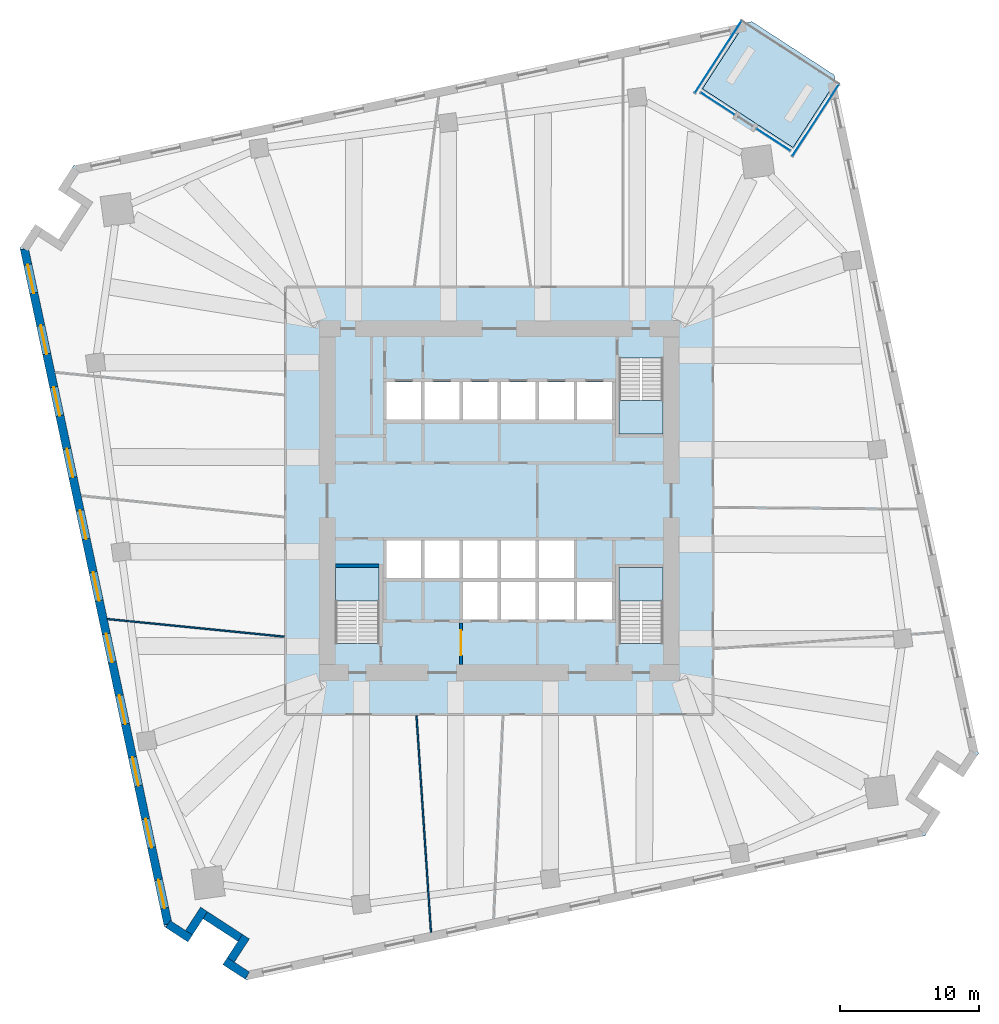
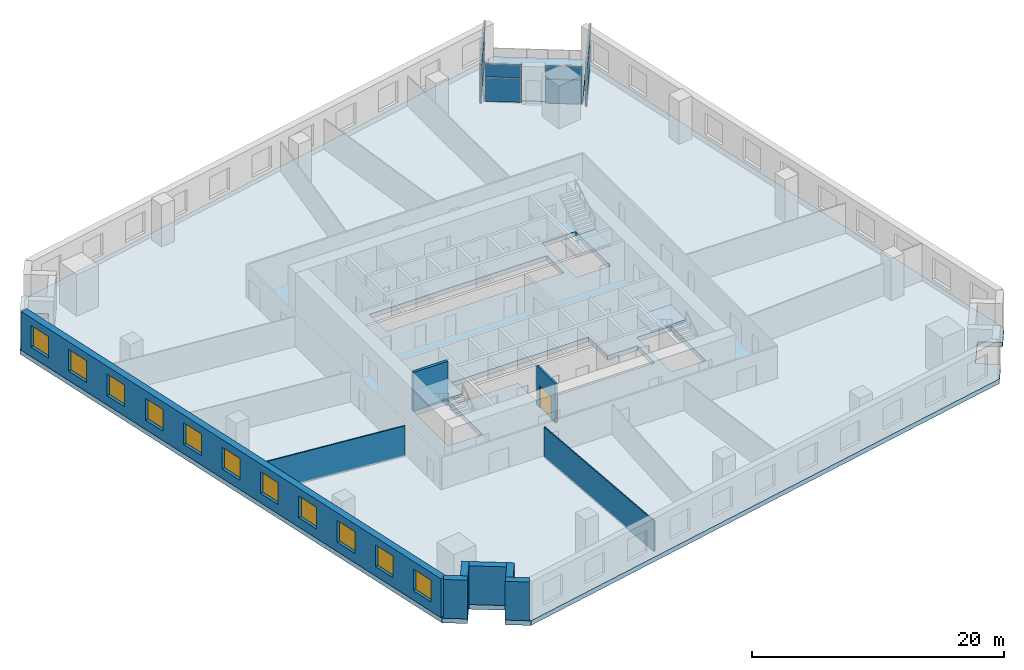
# One storey, part 3 of 10: 11 windows, 10 walls, 8 plates, 5 slabs, 1 door, 12 openings, 7 elements without a shape of their own.
"""IFC4 building model written with IfcOpenShell, lengths in metres."""

from ifc_helpers import new_model, si_unit, direction, frame, frame_2d, origin, origin_2d, place, context, subcontext, project, spatial, polyline, rectangle, outline, extrude, material, layer, layer_set, type_object, element, fill, aggregate, save


model = new_model("IFC4")

# Units and contexts
model_context = context("Model", 3, precision=1e-05, world=origin(), true_north=direction((0.0, 1.0)))
body_context = subcontext(model_context, "Body", "Model", "MODEL_VIEW")
ifc_project = project(units=[si_unit("LENGTHUNIT", "METRE"), si_unit("AREAUNIT", "SQUARE_METRE"), si_unit("VOLUMEUNIT", "CUBIC_METRE"), si_unit("PLANEANGLEUNIT", "RADIAN"), si_unit("MASSUNIT", "GRAM", prefix="KILO")], contexts=[model_context])

# Site, building, storey
site_placement = place(None, origin())
site = spatial("IfcSite", under=ifc_project, at=site_placement, CompositionType="ELEMENT")
building_placement = place(site_placement, origin())
building = spatial("IfcBuilding", under=site, at=building_placement, Name="Dilmun Exchange Tower", CompositionType="ELEMENT")
storey_placement = place(building_placement, frame((0.0, 0.0, 68.10009765625)))
storey = spatial("IfcBuildingStorey", under=building, at=storey_placement, Name="L15", CompositionType="ELEMENT", Elevation=68.10009765625)

# Stair, slab
ifc_material_1 = material(Name="Concrete C40/50", Category="concrete")
stair_type = type_object("IfcStairType", Name="Exit stair 1500 half-turn", PredefinedType="HALF_TURN_STAIR", material=ifc_material_1)
stair_1_placement = place(storey_placement, origin())
stair_1 = element("IfcStair", 1, at=stair_1_placement, inside=storey, type_object=stair_type, Name="L15 Protected exit stair ST1", PredefinedType="HALF_TURN_STAIR")
ifc_layer_1 = layer(ifc_material_1, 0.199951171875)
ifc_layer_set_1 = layer_set([ifc_layer_1], Name="Concrete C40/50")
slab_type_1 = type_object("IfcSlabType", Name="Exit stair landing 200", PredefinedType="LANDING", material=ifc_layer_set_1)
slab_1_placement = place(storey_placement, frame((0.0, 0.0, 1.89990234375)))
slab_1 = element("IfcSlab", 2, at=slab_1_placement, type_object=slab_type_1, Name="ST1 landing 1", PredefinedType="LANDING", context=body_context, shape_type="SweptSolid", body=[
    extrude(outline(polyline([(8.64990234375, 7.219970703125), (8.64990234375, 4.800048828125), (11.800048828125, 4.800048828125), (11.800048828125, 7.219970703125), (8.64990234375, 7.219970703125)])), origin(), (0.0, 0.0, 1.0), 0.199951171875),
])
aggregate(stair_1, [slab_1])

stair_2_placement = place(storey_placement, origin())
stair_2 = element("IfcStair", 3, at=stair_2_placement, inside=storey, type_object=stair_type, Name="L15 Protected exit stair ST2", PredefinedType="HALF_TURN_STAIR")
slab_2_placement = place(storey_placement, frame((0.0, 0.0, 1.89990234375)))
slab_2 = element("IfcSlab", 4, at=slab_2_placement, type_object=slab_type_1, Name="ST2 landing 1", PredefinedType="LANDING", context=body_context, shape_type="SweptSolid", body=[
    extrude(outline(polyline([(-8.64990234375, -7.219970703125), (-8.64990234375, -4.800048828125), (-11.800048828125, -4.800048828125), (-11.800048828125, -7.219970703125), (-8.64990234375, -7.219970703125)])), origin(), (0.0, 0.0, 1.0), 0.199951171875),
])
aggregate(stair_2, [slab_2])

stair_3_placement = place(storey_placement, origin())
stair_3 = element("IfcStair", 5, at=stair_3_placement, inside=storey, type_object=stair_type, Name="L15 Protected exit stair ST3", PredefinedType="HALF_TURN_STAIR")
slab_3_placement = place(storey_placement, frame((0.0, 0.0, 1.89990234375)))
slab_3 = element("IfcSlab", 6, at=slab_3_placement, type_object=slab_type_1, Name="ST3 landing 1", PredefinedType="LANDING", context=body_context, shape_type="SweptSolid", body=[
    extrude(outline(polyline([(11.800048828125, -7.219970703125), (11.800048828125, -4.800048828125), (8.64990234375, -4.800048828125), (8.64990234375, -7.219970703125), (11.800048828125, -7.219970703125)])), origin(), (0.0, 0.0, 1.0), 0.199951171875),
])
aggregate(stair_3, [slab_3])

# Curtain wall, plates
ifc_material_2 = material(Name="Anodised aluminium and clear glass", Category="aluminium")
curtain_wall_type = type_object("IfcCurtainWallType", Name="Garden corner glazing", PredefinedType="NOTDEFINED", material=ifc_material_2)
curtain_wall_1_placement = place(storey_placement, origin())
curtain_wall_1 = element("IfcCurtainWall", 7, at=curtain_wall_1_placement, inside=storey, type_object=curtain_wall_type, Name="Garden corner glazing run GC1.1", PredefinedType="NOTDEFINED")
ifc_material_3 = material(Name="Clear glass", Category="glass")
ifc_layer_2 = layer(ifc_material_3, 0.028076171875)
ifc_layer_set_2 = layer_set([ifc_layer_2], Name="Clear glass")
plate_type = type_object("IfcPlateType", Name="Garden corner glazing glass panel 28", PredefinedType="CURTAIN_PANEL", material=ifc_layer_set_2)
plate_1_placement = place(storey_placement, frame((22.80126953125, 27.419189453125, 0.059814453125), z_axis=(0.0, 0.0, 1.0), x_axis=(-0.544644489647, -0.838667025641, 0.0)))
plate_1 = element("IfcPlate", 8, at=plate_1_placement, type_object=plate_type, Name="GC1.1 panel 1.1", PredefinedType="CURTAIN_PANEL", context=body_context, shape_type="SweptSolid", body=[
    extrude(rectangle(XDim=6.12646484375, YDim=0.028076171875, at=origin_2d()), origin(), (0.0, 0.0, 1.0), 2.31005859375),
])
plate_2_placement = place(storey_placement, frame((22.80126953125, 27.419189453125, 2.4296875), z_axis=(0.0, 0.0, 1.0), x_axis=(-0.544644489647, -0.838667025641, 0.0)))
plate_2 = element("IfcPlate", 9, at=plate_2_placement, type_object=plate_type, Name="GC1.1 panel 1.2", PredefinedType="CURTAIN_PANEL", context=body_context, shape_type="SweptSolid", body=[
    extrude(rectangle(XDim=6.12646484375, YDim=0.028076171875, at=origin_2d()), origin(), (0.0, 0.0, 1.0), 1.260009765625),
])
aggregate(curtain_wall_1, [plate_1, plate_2])

curtain_wall_2_placement = place(storey_placement, origin())
curtain_wall_2 = element("IfcCurtainWall", 10, at=curtain_wall_2_placement, inside=storey, type_object=curtain_wall_type, Name="Garden corner glazing run GC2.1", PredefinedType="NOTDEFINED")
plate_3_placement = place(storey_placement, frame((19.758544921875, 26.02880859375, 0.059814453125), z_axis=(0.0, 0.0, 1.0), x_axis=(-0.838675909601, 0.544630809498, 0.0)))
plate_3 = element("IfcPlate", 11, at=plate_3_placement, type_object=plate_type, Name="GC2.1 panel 1.1", PredefinedType="CURTAIN_PANEL", context=body_context, shape_type="SweptSolid", body=[
    extrude(rectangle(XDim=2.868896484375, YDim=0.028076171875, at=origin_2d()), origin(), (0.0, 0.0, 1.0), 2.31005859375),
])
plate_4_placement = place(storey_placement, frame((19.758544921875, 26.02880859375, 2.4296875), z_axis=(0.0, 0.0, 1.0), x_axis=(-0.838675909601, 0.544630809498, 0.0)))
plate_4 = element("IfcPlate", 12, at=plate_4_placement, type_object=plate_type, Name="GC2.1 panel 1.2", PredefinedType="CURTAIN_PANEL", context=body_context, shape_type="SweptSolid", body=[
    extrude(rectangle(XDim=2.868896484375, YDim=0.028076171875, at=origin_2d()), origin(), (0.0, 0.0, 1.0), 1.260009765625),
])
aggregate(curtain_wall_2, [plate_3, plate_4])

curtain_wall_3_placement = place(storey_placement, origin())
curtain_wall_3 = element("IfcCurtainWall", 13, at=curtain_wall_3_placement, inside=storey, type_object=curtain_wall_type, Name="Garden corner glazing run GC2.3", PredefinedType="NOTDEFINED")
plate_5_placement = place(storey_placement, frame((15.741943359375, 28.63720703125, 0.059814453125), z_axis=(0.0, 0.0, 1.0), x_axis=(-0.838670551957, 0.544639059635, 0.0)))
plate_5 = element("IfcPlate", 14, at=plate_5_placement, type_object=plate_type, Name="GC2.3 panel 1.1", PredefinedType="CURTAIN_PANEL", context=body_context, shape_type="SweptSolid", body=[
    extrude(rectangle(XDim=2.869140625, YDim=0.028076171875, at=origin_2d()), origin(), (0.0, 0.0, 1.0), 2.31005859375),
])
plate_6_placement = place(storey_placement, frame((15.741943359375, 28.63720703125, 2.4296875), z_axis=(0.0, 0.0, 1.0), x_axis=(-0.838670551957, 0.544639059635, 0.0)))
plate_6 = element("IfcPlate", 15, at=plate_6_placement, type_object=plate_type, Name="GC2.3 panel 1.2", PredefinedType="CURTAIN_PANEL", context=body_context, shape_type="SweptSolid", body=[
    extrude(rectangle(XDim=2.869140625, YDim=0.028076171875, at=origin_2d()), origin(), (0.0, 0.0, 1.0), 1.260009765625),
])
aggregate(curtain_wall_3, [plate_5, plate_6])

curtain_wall_4_placement = place(storey_placement, origin())
curtain_wall_4 = element("IfcCurtainWall", 16, at=curtain_wall_4_placement, inside=storey, type_object=curtain_wall_type, Name="Garden corner glazing run GC3.1", PredefinedType="NOTDEFINED")
plate_7_placement = place(storey_placement, frame((15.774658203125, 31.982421875, 0.059814453125), z_axis=(0.0, 0.0, 1.0), x_axis=(0.544637177185, 0.838671774431, 0.0)))
plate_7 = element("IfcPlate", 17, at=plate_7_placement, type_object=plate_type, Name="GC3.1 panel 1.1", PredefinedType="CURTAIN_PANEL", context=body_context, shape_type="SweptSolid", body=[
    extrude(rectangle(XDim=6.12646484375, YDim=0.028076171875, at=origin_2d()), origin(), (0.0, 0.0, 1.0), 2.31005859375),
])
plate_8_placement = place(storey_placement, frame((15.774658203125, 31.982421875, 2.4296875), z_axis=(0.0, 0.0, 1.0), x_axis=(0.544637177185, 0.838671774431, 0.0)))
plate_8 = element("IfcPlate", 18, at=plate_8_placement, type_object=plate_type, Name="GC3.1 panel 1.2", PredefinedType="CURTAIN_PANEL", context=body_context, shape_type="SweptSolid", body=[
    extrude(rectangle(XDim=6.12646484375, YDim=0.028076171875, at=origin_2d()), origin(), (0.0, 0.0, 1.0), 1.260009765625),
])
aggregate(curtain_wall_4, [plate_7, plate_8])

# Slabs
ifc_layer_3 = layer(ifc_material_1, 0.449951171875)
ifc_layer_set_3 = layer_set([ifc_layer_3], Name="Concrete C40/50")
slab_type_2 = type_object("IfcSlabType", Name="RC floor slab 450", PredefinedType="FLOOR", material=ifc_layer_set_3)
slab_4_placement = place(storey_placement, frame((0.0, 0.0, -0.4501953125)))
element("IfcSlab", 19, at=slab_4_placement, inside=storey, type_object=slab_type_2, Name="Floor slab", PredefinedType="FLOOR", context=body_context, shape_type="SweptSolid", body=[
    extrude(outline(polyline([(33.43359375, -19.923583984375), (31.756103515625, -18.834228515625), (30.122314453125, -21.35009765625), (31.7998046875, -22.439453125), (30.69091796875, -24.146484375), (-18.21630859375, -34.542236328125), (-19.923583984375, -33.43359375), (-18.834228515625, -31.756103515625), (-21.35009765625, -30.122314453125), (-22.439453125, -31.7998046875), (-24.146484375, -30.69091796875), (-34.542236328125, 18.21630859375), (-33.43359375, 19.923583984375), (-31.756103515625, 18.834228515625), (-30.122314453125, 21.35009765625), (-31.7998046875, 22.439453125), (-30.69091796875, 24.146484375), (17.727294921875, 34.438232421875), (14.652099609375, 29.702880859375), (21.17529296875, 25.466552734375), (24.25048828125, 30.201904296875), (34.542236328125, -18.21630859375), (33.43359375, -19.923583984375)]), holes=[polyline([(-8.64990234375, -4.800048828125), (-11.800048828125, -4.800048828125), (-11.800048828125, -10.294921875), (-8.64990234375, -10.294921875), (-8.64990234375, -4.800048828125)]), polyline([(11.800048828125, -4.800048828125), (8.64990234375, -4.800048828125), (8.64990234375, -10.294921875), (11.800048828125, -10.294921875), (11.800048828125, -4.800048828125)]), polyline([(-8.125, -2.85009765625), (-8.125, -5.550048828125), (-2.625, -5.550048828125), (-2.625, -8.550048828125), (8.125, -8.550048828125), (8.125, -5.85009765625), (5.375, -5.85009765625), (5.375, -2.85009765625), (-8.125, -2.85009765625)]), polyline([(-8.125, 5.85009765625), (8.125, 5.85009765625), (8.125, 8.550048828125), (-8.125, 8.550048828125), (-8.125, 5.85009765625)]), polyline([(8.64990234375, 10.294921875), (8.64990234375, 4.800048828125), (11.800048828125, 4.800048828125), (11.800048828125, 10.294921875), (8.64990234375, 10.294921875)])]), origin(), (0.0, 0.0, 1.0), 0.4501953125),
])
ifc_layer_4 = layer(ifc_material_1, 0.300048828125)
ifc_layer_set_4 = layer_set([ifc_layer_4], Name="Concrete C40/50")
slab_type_3 = type_object("IfcSlabType", Name="RC garden terrace slab 300", PredefinedType="FLOOR", material=ifc_layer_set_4)
slab_5_placement = place(storey_placement, frame((0.0, 0.0, -0.300048828125)))
element("IfcSlab", 20, at=slab_5_placement, inside=storey, type_object=slab_type_3, Name="Garden terrace slab", PredefinedType="FLOOR", context=body_context, shape_type="SweptSolid", body=[
    extrude(outline(polyline([(14.652099609375, 29.702880859375), (17.727294921875, 34.438232421875), (18.21630859375, 34.542236328125), (24.146484375, 30.69091796875), (24.25048828125, 30.201904296875), (21.17529296875, 25.466552734375), (14.652099609375, 29.702880859375)])), origin(), (0.0, 0.0, 1.0), 0.300048828125),
])

# Wall, opening, door
ifc_layer_5 = layer(ifc_material_1, 0.199951171875)
ifc_layer_set_5 = layer_set([ifc_layer_5], Name="Concrete C40/50")
wall_type_1 = type_object("IfcWallType", Name="Core partition wall 200", PredefinedType="PARTITIONING", material=ifc_layer_set_5)
wall_1_placement = place(storey_placement, frame((-2.75, -11.794921875, 0.0), z_axis=(0.0, 0.0, 1.0), x_axis=(0.0, 1.0, 0.0)))
wall_1 = element("IfcWall", 21, at=wall_1_placement, inside=storey, type_object=wall_type_1, Name="L15 core partition wall 01", PredefinedType="PARTITIONING", context=body_context, shape_type="SweptSolid", body=[
    extrude(rectangle(XDim=2.989990234375, YDim=0.199951171875, at=frame_2d((1.4951171875, 0.0))), origin(), (0.0, 0.0, 1.0), 3.75),
])
opening_1_placement = place(wall_1_placement, frame((0.657470703125, 0.0, 0.0)))
opening_1 = element("IfcOpeningElement", 22, at=opening_1_placement, cuts=wall_1, Name="Opening CD5", PredefinedType="OPENING", context=body_context, shape_type="SweptSolid", body=[
    extrude(rectangle(XDim=1.800048828125, YDim=2.10009765625, at=frame_2d((0.89990234375, 1.050048828125))), frame((0.0, 0.10986328125, 0.0), z_axis=(0.0, -1.0, 0.0), x_axis=(1.0, 0.0, 0.0)), (0.0, 0.0, 1.0), 0.219970703125),
])
ifc_material_4 = material(Name="Fire-rated steel door set", Category="steel")
door_type = type_object("IfcDoorType", Name="Stair exit door 1800x2100", OperationType="SINGLE_SWING_LEFT", PredefinedType="DOOR", material=ifc_material_4)
door_placement = place(opening_1_placement, origin())
door = element("IfcDoor", 23, at=door_placement, inside=storey, type_object=door_type, Name="L15 door Service lobby east", OperationType="SINGLE_SWING_LEFT", OverallHeight=2.10009765625, OverallWidth=1.800048828125, PredefinedType="DOOR", context=body_context, shape_type="SweptSolid", body=[
    extrude(rectangle(XDim=1.800048828125, YDim=2.10009765625, at=frame_2d((0.89990234375, 1.050048828125))), frame((0.0, 0.02490234375, 0.0), z_axis=(0.0, -1.0, 0.0), x_axis=(1.0, 0.0, 0.0)), (0.0, 0.0, 1.0), 0.050048828125),
])
fill(opening_1, door)

# Walls
ifc_material_5 = material(Name="Partition 100")
ifc_layer_6 = layer(ifc_material_5, 0.10009765625)
ifc_layer_set_6 = layer_set([ifc_layer_6], Name="Partition 100")
wall_type_2 = type_object("IfcWallType", Name="Partition 100", PredefinedType="PARTITIONING", material=ifc_layer_set_6)
wall_2_placement = place(storey_placement, frame((-28.2431640625, -8.522705078125, 0.0), z_axis=(0.0, 0.0, 1.0), x_axis=(0.995068800652, -0.099187105861, 0.0)))
element("IfcWall", 24, at=wall_2_placement, inside=storey, type_object=wall_type_2, Name="Partition", PredefinedType="PARTITIONING", context=body_context, shape_type="SweptSolid", body=[
    extrude(rectangle(XDim=12.826416015625, YDim=0.10009765625, at=frame_2d((6.4130859375, 0.0))), origin(), (0.0, 0.0, 1.0), 2.949951171875),
])
wall_3_placement = place(storey_placement, frame((-5.9638671875, -15.478271484375, 0.0), z_axis=(0.0, 0.0, 1.0), x_axis=(0.066754978286, -0.997769398646, 0.0)))
element("IfcWall", 25, at=wall_3_placement, inside=storey, type_object=wall_type_2, Name="Partition", PredefinedType="PARTITIONING", context=body_context, shape_type="SweptSolid", body=[
    extrude(rectangle(XDim=15.65673828125, YDim=0.10009765625, at=frame_2d((7.828369140625, 0.0))), origin(), (0.0, 0.0, 1.0), 2.949951171875),
])

# Wall, openings, windows
ifc_material_6 = material(Name="Precast concrete C50/60", Category="concrete")
ifc_layer_7 = layer(ifc_material_6, 0.60009765625)
ifc_layer_set_7 = layer_set([ifc_layer_7], Name="Precast concrete C50/60")
wall_type_3 = type_object("IfcWallType", Name="Precast stone-clad wall 600", PredefinedType="STANDARD", material=ifc_layer_set_7)
wall_4_placement = place(storey_placement, frame((-34.222900390625, 18.1572265625, 0.0), z_axis=(0.0, 0.0, 1.0), x_axis=(0.207913160934, -0.97814728825, 0.0)))
wall_4 = element("IfcWall", 26, at=wall_4_placement, inside=storey, type_object=wall_type_3, Name="Facade wall L15-09", PredefinedType="STANDARD", context=body_context, shape_type="SweptSolid", body=[
    extrude(rectangle(XDim=49.75146484375, YDim=0.60009765625, at=frame_2d((24.875732421875, 0.0))), origin(), (0.0, 0.0, 1.0), 3.75),
])
opening_2_placement = place(wall_4_placement, frame((1.16064453125, 0.0, 0.89990234375)))
opening_2 = element("IfcOpeningElement", 27, at=opening_2_placement, cuts=wall_4, Name="Opening W210-210", PredefinedType="OPENING", context=body_context, shape_type="SweptSolid", body=[
    extrude(rectangle(XDim=2.10009765625, YDim=2.10009765625, at=frame_2d((1.050048828125, 1.050048828125))), frame((0.0, 0.31005859375, 0.0), z_axis=(0.0, -1.0, 0.0), x_axis=(1.0, 0.0, 0.0)), (0.0, 0.0, 1.0), 0.6201171875),
])
opening_3_placement = place(wall_4_placement, frame((5.643798828125, 0.0, 0.89990234375)))
opening_3 = element("IfcOpeningElement", 28, at=opening_3_placement, cuts=wall_4, Name="Opening W210-210", PredefinedType="OPENING", context=body_context, shape_type="SweptSolid", body=[
    extrude(rectangle(XDim=2.10009765625, YDim=2.10009765625, at=frame_2d((1.050048828125, 1.050048828125))), frame((0.0, 0.31005859375, 0.0), z_axis=(0.0, -1.0, 0.0), x_axis=(1.0, 0.0, 0.0)), (0.0, 0.0, 1.0), 0.6201171875),
])
opening_4_placement = place(wall_4_placement, frame((10.189453125, 0.0, 0.89990234375)))
opening_4 = element("IfcOpeningElement", 29, at=opening_4_placement, cuts=wall_4, Name="Opening W210-210", PredefinedType="OPENING", context=body_context, shape_type="SweptSolid", body=[
    extrude(rectangle(XDim=2.10009765625, YDim=2.10009765625, at=frame_2d((1.050048828125, 1.050048828125))), frame((0.0, 0.31005859375, 0.0), z_axis=(0.0, -1.0, 0.0), x_axis=(1.0, 0.0, 0.0)), (0.0, 0.0, 1.0), 0.6201171875),
])
opening_5_placement = place(wall_4_placement, frame((14.73486328125, 0.0, 0.89990234375)))
opening_5 = element("IfcOpeningElement", 30, at=opening_5_placement, cuts=wall_4, Name="Opening W210-210", PredefinedType="OPENING", context=body_context, shape_type="SweptSolid", body=[
    extrude(rectangle(XDim=2.10009765625, YDim=2.10009765625, at=frame_2d((1.050048828125, 1.050048828125))), frame((0.0, 0.31005859375, 0.0), z_axis=(0.0, -1.0, 0.0), x_axis=(1.0, 0.0, 0.0)), (0.0, 0.0, 1.0), 0.6201171875),
])
opening_6_placement = place(wall_4_placement, frame((19.2802734375, 0.0, 0.89990234375)))
opening_6 = element("IfcOpeningElement", 31, at=opening_6_placement, cuts=wall_4, Name="Opening W210-210", PredefinedType="OPENING", context=body_context, shape_type="SweptSolid", body=[
    extrude(rectangle(XDim=2.10009765625, YDim=2.10009765625, at=frame_2d((1.050048828125, 1.050048828125))), frame((0.0, 0.31005859375, 0.0), z_axis=(0.0, -1.0, 0.0), x_axis=(1.0, 0.0, 0.0)), (0.0, 0.0, 1.0), 0.6201171875),
])
opening_7_placement = place(wall_4_placement, frame((23.82568359375, 0.0, 0.89990234375)))
opening_7 = element("IfcOpeningElement", 32, at=opening_7_placement, cuts=wall_4, Name="Opening W210-210", PredefinedType="OPENING", context=body_context, shape_type="SweptSolid", body=[
    extrude(rectangle(XDim=2.10009765625, YDim=2.10009765625, at=frame_2d((1.050048828125, 1.050048828125))), frame((0.0, 0.31005859375, 0.0), z_axis=(0.0, -1.0, 0.0), x_axis=(1.0, 0.0, 0.0)), (0.0, 0.0, 1.0), 0.6201171875),
])
opening_8_placement = place(wall_4_placement, frame((28.37109375, 0.0, 0.89990234375)))
opening_8 = element("IfcOpeningElement", 33, at=opening_8_placement, cuts=wall_4, Name="Opening W210-210", PredefinedType="OPENING", context=body_context, shape_type="SweptSolid", body=[
    extrude(rectangle(XDim=2.10009765625, YDim=2.10009765625, at=frame_2d((1.050048828125, 1.050048828125))), frame((0.0, 0.31005859375, 0.0), z_axis=(0.0, -1.0, 0.0), x_axis=(1.0, 0.0, 0.0)), (0.0, 0.0, 1.0), 0.6201171875),
])
opening_9_placement = place(wall_4_placement, frame((32.91650390625, 0.0, 0.89990234375)))
opening_9 = element("IfcOpeningElement", 34, at=opening_9_placement, cuts=wall_4, Name="Opening W210-210", PredefinedType="OPENING", context=body_context, shape_type="SweptSolid", body=[
    extrude(rectangle(XDim=2.10009765625, YDim=2.10009765625, at=frame_2d((1.050048828125, 1.050048828125))), frame((0.0, 0.31005859375, 0.0), z_axis=(0.0, -1.0, 0.0), x_axis=(1.0, 0.0, 0.0)), (0.0, 0.0, 1.0), 0.6201171875),
])
opening_10_placement = place(wall_4_placement, frame((37.462158203125, 0.0, 0.89990234375)))
opening_10 = element("IfcOpeningElement", 35, at=opening_10_placement, cuts=wall_4, Name="Opening W210-210", PredefinedType="OPENING", context=body_context, shape_type="SweptSolid", body=[
    extrude(rectangle(XDim=2.10009765625, YDim=2.10009765625, at=frame_2d((1.050048828125, 1.050048828125))), frame((0.0, 0.31005859375, 0.0), z_axis=(0.0, -1.0, 0.0), x_axis=(1.0, 0.0, 0.0)), (0.0, 0.0, 1.0), 0.6201171875),
])
opening_11_placement = place(wall_4_placement, frame((42.007568359375, 0.0, 0.89990234375)))
opening_11 = element("IfcOpeningElement", 36, at=opening_11_placement, cuts=wall_4, Name="Opening W210-210", PredefinedType="OPENING", context=body_context, shape_type="SweptSolid", body=[
    extrude(rectangle(XDim=2.10009765625, YDim=2.10009765625, at=frame_2d((1.050048828125, 1.050048828125))), frame((0.0, 0.31005859375, 0.0), z_axis=(0.0, -1.0, 0.0), x_axis=(1.0, 0.0, 0.0)), (0.0, 0.0, 1.0), 0.6201171875),
])
opening_12_placement = place(wall_4_placement, frame((46.490966796875, 0.0, 0.89990234375)))
opening_12 = element("IfcOpeningElement", 37, at=opening_12_placement, cuts=wall_4, Name="Opening W210-210", PredefinedType="OPENING", context=body_context, shape_type="SweptSolid", body=[
    extrude(rectangle(XDim=2.10009765625, YDim=2.10009765625, at=frame_2d((1.050048828125, 1.050048828125))), frame((0.0, 0.31005859375, 0.0), z_axis=(0.0, -1.0, 0.0), x_axis=(1.0, 0.0, 0.0)), (0.0, 0.0, 1.0), 0.6201171875),
])
ifc_material_7 = material(Name="Clear low-emissivity glass in aluminium frame", Category="aluminium")
window_type = type_object("IfcWindowType", Name="Punched window 2100 x 2100", PartitioningType="DOUBLE_PANEL_VERTICAL", PredefinedType="WINDOW", material=ifc_material_7)
window_1_placement = place(opening_2_placement, origin())
window_1 = element("IfcWindow", 38, at=window_1_placement, inside=storey, type_object=window_type, Name="Window 10.1", OverallHeight=2.10009765625, OverallWidth=2.10009765625, PartitioningType="SINGLE_PANEL", PredefinedType="WINDOW", context=body_context, shape_type="SweptSolid", body=[
    extrude(rectangle(XDim=2.10009765625, YDim=2.10009765625, at=frame_2d((1.050048828125, 1.050048828125))), frame((0.0, 0.030029296875, 0.0), z_axis=(0.0, -1.0, 0.0), x_axis=(1.0, 0.0, 0.0)), (0.0, 0.0, 1.0), 0.06005859375),
])
fill(opening_2, window_1)
window_2_placement = place(opening_3_placement, origin())
window_2 = element("IfcWindow", 39, at=window_2_placement, inside=storey, type_object=window_type, Name="Window 10.2", OverallHeight=2.10009765625, OverallWidth=2.10009765625, PartitioningType="SINGLE_PANEL", PredefinedType="WINDOW", context=body_context, shape_type="SweptSolid", body=[
    extrude(rectangle(XDim=2.10009765625, YDim=2.10009765625, at=frame_2d((1.050048828125, 1.050048828125))), frame((0.0, 0.030029296875, 0.0), z_axis=(0.0, -1.0, 0.0), x_axis=(1.0, 0.0, 0.0)), (0.0, 0.0, 1.0), 0.06005859375),
])
fill(opening_3, window_2)
window_3_placement = place(opening_4_placement, origin())
window_3 = element("IfcWindow", 40, at=window_3_placement, inside=storey, type_object=window_type, Name="Window 10.3", OverallHeight=2.10009765625, OverallWidth=2.10009765625, PartitioningType="SINGLE_PANEL", PredefinedType="WINDOW", context=body_context, shape_type="SweptSolid", body=[
    extrude(rectangle(XDim=2.10009765625, YDim=2.10009765625, at=frame_2d((1.050048828125, 1.050048828125))), frame((0.0, 0.030029296875, 0.0), z_axis=(0.0, -1.0, 0.0), x_axis=(1.0, 0.0, 0.0)), (0.0, 0.0, 1.0), 0.06005859375),
])
fill(opening_4, window_3)
window_4_placement = place(opening_5_placement, origin())
window_4 = element("IfcWindow", 41, at=window_4_placement, inside=storey, type_object=window_type, Name="Window 10.4", OverallHeight=2.10009765625, OverallWidth=2.10009765625, PartitioningType="SINGLE_PANEL", PredefinedType="WINDOW", context=body_context, shape_type="SweptSolid", body=[
    extrude(rectangle(XDim=2.10009765625, YDim=2.10009765625, at=frame_2d((1.050048828125, 1.050048828125))), frame((0.0, 0.030029296875, 0.0), z_axis=(0.0, -1.0, 0.0), x_axis=(1.0, 0.0, 0.0)), (0.0, 0.0, 1.0), 0.06005859375),
])
fill(opening_5, window_4)
window_5_placement = place(opening_6_placement, origin())
window_5 = element("IfcWindow", 42, at=window_5_placement, inside=storey, type_object=window_type, Name="Window 10.5", OverallHeight=2.10009765625, OverallWidth=2.10009765625, PartitioningType="SINGLE_PANEL", PredefinedType="WINDOW", context=body_context, shape_type="SweptSolid", body=[
    extrude(rectangle(XDim=2.10009765625, YDim=2.10009765625, at=frame_2d((1.050048828125, 1.050048828125))), frame((0.0, 0.030029296875, 0.0), z_axis=(0.0, -1.0, 0.0), x_axis=(1.0, 0.0, 0.0)), (0.0, 0.0, 1.0), 0.06005859375),
])
fill(opening_6, window_5)
window_6_placement = place(opening_7_placement, origin())
window_6 = element("IfcWindow", 43, at=window_6_placement, inside=storey, type_object=window_type, Name="Window 10.6", OverallHeight=2.10009765625, OverallWidth=2.10009765625, PartitioningType="SINGLE_PANEL", PredefinedType="WINDOW", context=body_context, shape_type="SweptSolid", body=[
    extrude(rectangle(XDim=2.10009765625, YDim=2.10009765625, at=frame_2d((1.050048828125, 1.050048828125))), frame((0.0, 0.030029296875, 0.0), z_axis=(0.0, -1.0, 0.0), x_axis=(1.0, 0.0, 0.0)), (0.0, 0.0, 1.0), 0.06005859375),
])
fill(opening_7, window_6)
window_7_placement = place(opening_8_placement, origin())
window_7 = element("IfcWindow", 44, at=window_7_placement, inside=storey, type_object=window_type, Name="Window 10.7", OverallHeight=2.10009765625, OverallWidth=2.10009765625, PartitioningType="SINGLE_PANEL", PredefinedType="WINDOW", context=body_context, shape_type="SweptSolid", body=[
    extrude(rectangle(XDim=2.10009765625, YDim=2.10009765625, at=frame_2d((1.050048828125, 1.050048828125))), frame((0.0, 0.030029296875, 0.0), z_axis=(0.0, -1.0, 0.0), x_axis=(1.0, 0.0, 0.0)), (0.0, 0.0, 1.0), 0.06005859375),
])
fill(opening_8, window_7)
window_8_placement = place(opening_9_placement, origin())
window_8 = element("IfcWindow", 45, at=window_8_placement, inside=storey, type_object=window_type, Name="Window 10.8", OverallHeight=2.10009765625, OverallWidth=2.10009765625, PartitioningType="SINGLE_PANEL", PredefinedType="WINDOW", context=body_context, shape_type="SweptSolid", body=[
    extrude(rectangle(XDim=2.10009765625, YDim=2.10009765625, at=frame_2d((1.050048828125, 1.050048828125))), frame((0.0, 0.030029296875, 0.0), z_axis=(0.0, -1.0, 0.0), x_axis=(1.0, 0.0, 0.0)), (0.0, 0.0, 1.0), 0.06005859375),
])
fill(opening_9, window_8)
window_9_placement = place(opening_10_placement, origin())
window_9 = element("IfcWindow", 46, at=window_9_placement, inside=storey, type_object=window_type, Name="Window 10.9", OverallHeight=2.10009765625, OverallWidth=2.10009765625, PartitioningType="SINGLE_PANEL", PredefinedType="WINDOW", context=body_context, shape_type="SweptSolid", body=[
    extrude(rectangle(XDim=2.10009765625, YDim=2.10009765625, at=frame_2d((1.050048828125, 1.050048828125))), frame((0.0, 0.030029296875, 0.0), z_axis=(0.0, -1.0, 0.0), x_axis=(1.0, 0.0, 0.0)), (0.0, 0.0, 1.0), 0.06005859375),
])
fill(opening_10, window_9)
window_10_placement = place(opening_11_placement, origin())
window_10 = element("IfcWindow", 47, at=window_10_placement, inside=storey, type_object=window_type, Name="Window 10.10", OverallHeight=2.10009765625, OverallWidth=2.10009765625, PartitioningType="SINGLE_PANEL", PredefinedType="WINDOW", context=body_context, shape_type="SweptSolid", body=[
    extrude(rectangle(XDim=2.10009765625, YDim=2.10009765625, at=frame_2d((1.050048828125, 1.050048828125))), frame((0.0, 0.030029296875, 0.0), z_axis=(0.0, -1.0, 0.0), x_axis=(1.0, 0.0, 0.0)), (0.0, 0.0, 1.0), 0.06005859375),
])
fill(opening_11, window_10)
window_11_placement = place(opening_12_placement, origin())
window_11 = element("IfcWindow", 48, at=window_11_placement, inside=storey, type_object=window_type, Name="Window 10.11", OverallHeight=2.10009765625, OverallWidth=2.10009765625, PartitioningType="SINGLE_PANEL", PredefinedType="WINDOW", context=body_context, shape_type="SweptSolid", body=[
    extrude(rectangle(XDim=2.10009765625, YDim=2.10009765625, at=frame_2d((1.050048828125, 1.050048828125))), frame((0.0, 0.030029296875, 0.0), z_axis=(0.0, -1.0, 0.0), x_axis=(1.0, 0.0, 0.0)), (0.0, 0.0, 1.0), 0.06005859375),
])
fill(opening_12, window_11)

# Walls
wall_5_placement = place(storey_placement, frame((-23.87890625, -30.507080078125, 0.0), z_axis=(0.0, 0.0, 1.0), x_axis=(0.838633271825, -0.5446964617, 0.0)))
element("IfcWall", 49, at=wall_5_placement, inside=storey, type_object=wall_type_3, Name="Facade wall L15-10", PredefinedType="STANDARD", context=body_context, shape_type="SweptSolid", body=[
    extrude(rectangle(XDim=1.9111328125, YDim=0.60009765625, at=frame_2d((0.95556640625, 0.0))), origin(), (0.0, 0.0, 1.0), 3.75),
])
wall_6_placement = place(storey_placement, frame((-22.3642578125, -31.133056640625, 0.0), z_axis=(0.0, 0.0, 1.0), x_axis=(0.54468796124, 0.838638792855, 0.0)))
element("IfcWall", 50, at=wall_6_placement, inside=storey, type_object=wall_type_3, Name="Facade wall L15-11", PredefinedType="STANDARD", context=body_context, shape_type="SweptSolid", body=[
    extrude(rectangle(XDim=2.0, YDim=0.60009765625, at=frame_2d((1.0, 0.0))), origin(), (0.0, 0.0, 1.0), 3.75),
])
wall_7_placement = place(storey_placement, frame((-21.186767578125, -29.87060546875, 0.0), z_axis=(0.0, 0.0, 1.0), x_axis=(0.838638792855, -0.54468796124, 0.0)))
element("IfcWall", 51, at=wall_7_placement, inside=storey, type_object=wall_type_3, Name="Facade wall L15-12", PredefinedType="STANDARD", context=body_context, shape_type="SweptSolid", body=[
    extrude(rectangle(XDim=3.0, YDim=0.60009765625, at=frame_2d((1.5, 0.0))), origin(), (0.0, 0.0, 1.0), 3.75),
])
wall_8_placement = place(storey_placement, frame((-18.255859375, -31.41650390625, 0.0), z_axis=(0.0, 0.0, 1.0), x_axis=(-0.54468796124, -0.838638792855, 0.0)))
element("IfcWall", 52, at=wall_8_placement, inside=storey, type_object=wall_type_3, Name="Facade wall L15-13", PredefinedType="STANDARD", context=body_context, shape_type="SweptSolid", body=[
    extrude(rectangle(XDim=2.0, YDim=0.60009765625, at=frame_2d((1.0, 0.0))), origin(), (0.0, 0.0, 1.0), 3.75),
])
wall_9_placement = place(storey_placement, frame((-19.760009765625, -33.181884765625, 0.0), z_axis=(0.0, 0.0, 1.0), x_axis=(0.838633271825, -0.5446964617, 0.0)))
element("IfcWall", 53, at=wall_9_placement, inside=storey, type_object=wall_type_3, Name="Facade wall L15-14", PredefinedType="STANDARD", context=body_context, shape_type="SweptSolid", body=[
    extrude(rectangle(XDim=1.9111328125, YDim=0.60009765625, at=frame_2d((0.95556640625, 0.0))), origin(), (0.0, 0.0, 1.0), 3.75),
])
ifc_layer_8 = layer(ifc_material_1, 0.25)
ifc_layer_set_8 = layer_set([ifc_layer_8], Name="Concrete C40/50")
wall_type_4 = type_object("IfcWallType", Name="Stair end wall 250", PredefinedType="SOLIDWALL", material=ifc_layer_set_8)
wall_10_placement = place(storey_placement, frame((-8.64990234375, -4.675048828125, 0.0), z_axis=(0.0, 0.0, 1.0), x_axis=(-1.0, 0.0, 0.0)))
element("IfcWall", 54, at=wall_10_placement, inside=storey, type_object=wall_type_4, Name="L15 ST2 far wall", PredefinedType="SOLIDWALL", context=body_context, shape_type="SweptSolid", body=[
    extrude(rectangle(XDim=3.150146484375, YDim=0.25, at=frame_2d((1.5751953125, 0.0))), origin(), (0.0, 0.0, 1.0), 3.75),
])

save(model, "model.ifc")
